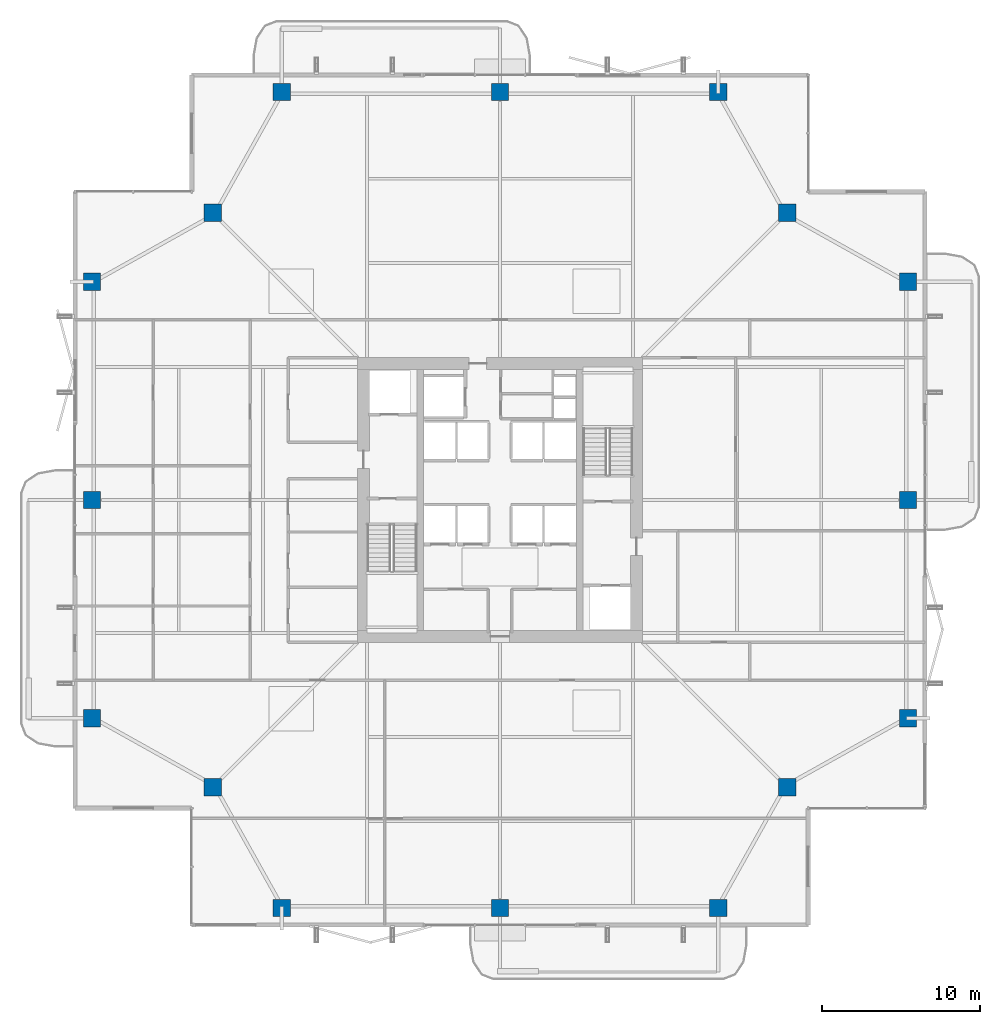
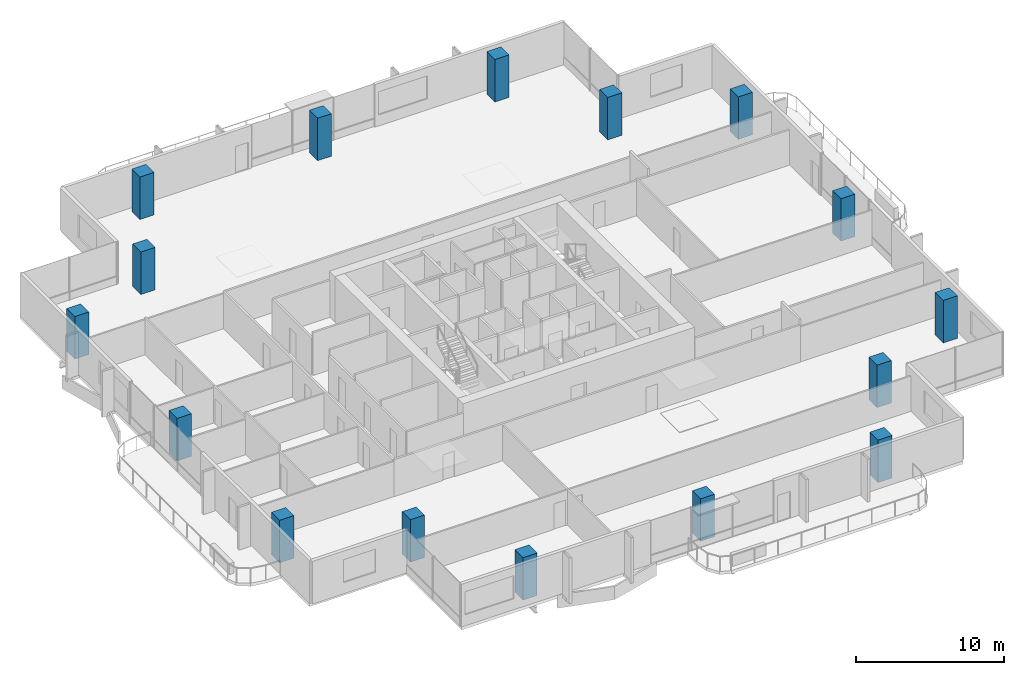
# One storey, part 1 of 29: 16 columns.
"""IFC4 building model written with IfcOpenShell, lengths in metres."""

from ifc_helpers import new_model, si_unit, direction, frame, origin, origin_2d, place, context, subcontext, project, spatial, rectangle, extrude, material, material_profile, profile_set, type_object, element, save


model = new_model("IFC4")

# Units and contexts
model_context = context("Model", 3, precision=1e-05, world=origin(), true_north=direction((0.0, 1.0)))
body_context = subcontext(model_context, "Body", "Model", "MODEL_VIEW")
ifc_project = project(units=[si_unit("LENGTHUNIT", "METRE"), si_unit("AREAUNIT", "SQUARE_METRE"), si_unit("VOLUMEUNIT", "CUBIC_METRE"), si_unit("PLANEANGLEUNIT", "RADIAN"), si_unit("MASSUNIT", "GRAM", prefix="KILO")], contexts=[model_context])

# Site, building, storey
site_placement = place(None, origin())
site = spatial("IfcSite", under=ifc_project, at=site_placement, CompositionType="ELEMENT")
building_placement = place(site_placement, origin())
building = spatial("IfcBuilding", under=site, at=building_placement, Name="Belovzor Exchange Tower", CompositionType="ELEMENT")
storey_placement = place(building_placement, frame((0.0, 0.0, 199.949951171875)))
storey = spatial("IfcBuildingStorey", under=building, at=storey_placement, Name="L49", CompositionType="ELEMENT", Elevation=199.949951171875)

# Columns
ifc_material = material(Name="Concrete C50/60", Category="concrete")
ifc_material_profile = material_profile(ifc_material, rectangle(XDim=1.10009765625, YDim=1.10009765625, at=origin_2d()))
ifc_profile_set = profile_set([ifc_material_profile], Name="Concrete C50/60")
column_type = type_object("IfcColumnType", Name="Reinforced Concrete Tower Column 1100x1100", PredefinedType="COLUMN", material=ifc_profile_set)
for number, where, z_axis, x_axis, name in (
    (1, (15.0, 3.0, 0.0029296875), (0.0, 0.0, 1.0), (1.0, 0.0, 0.0), "COL-T110 Reinforced Concrete Tower Column 1100x1100"),
    (2, (28.800048828125, 3.0, 0.0029296875), (0.0, 0.0, 1.0), (1.0, 0.0, 0.0), "COL-T110 Reinforced Concrete Tower Column 1100x1100"),
    (3, (42.60009765625, 3.0, 0.0029296875), (0.0, 0.0, 1.0), (1.0, 0.0, 0.0), "COL-T110 Reinforced Concrete Tower Column 1100x1100"),
    (4, (54.60009765625, 15.0, 0.0029296875), (0.0, 0.0, 1.0), (1.0, 0.0, 0.0), "COL-T110 Reinforced Concrete Tower Column 1100x1100"),
    (5, (54.60009765625, 28.800048828125, 0.0029296875), (0.0, 0.0, 1.0), (1.0, 0.0, 0.0), "COL-T110 Reinforced Concrete Tower Column 1100x1100"),
    (6, (54.60009765625, 42.60009765625, 0.0029296875), (0.0, 0.0, 1.0), (1.0, 0.0, 0.0), "COL-T110 Reinforced Concrete Tower Column 1100x1100"),
    (7, (42.60009765625, 54.60009765625, 0.0029296875), (0.0, 0.0, 1.0), (1.0, 0.0, 0.0), "COL-T110 Reinforced Concrete Tower Column 1100x1100"),
    (8, (28.800048828125, 54.60009765625, 0.0029296875), (0.0, 0.0, 1.0), (1.0, 0.0, 0.0), "COL-T110 Reinforced Concrete Tower Column 1100x1100"),
    (9, (15.0, 54.60009765625, 0.0029296875), (0.0, 0.0, 1.0), (1.0, 0.0, 0.0), "COL-T110 Reinforced Concrete Tower Column 1100x1100"),
    (10, (3.0, 42.60009765625, 0.0029296875), (0.0, 0.0, 1.0), (1.0, 0.0, 0.0), "COL-T110 Reinforced Concrete Tower Column 1100x1100"),
    (11, (3.0, 28.800048828125, 0.0029296875), (0.0, 0.0, 1.0), (1.0, 0.0, 0.0), "COL-T110 Reinforced Concrete Tower Column 1100x1100"),
    (12, (3.0, 15.0, 0.0029296875), (0.0, 0.0, 1.0), (1.0, 0.0, 0.0), "COL-T110 Reinforced Concrete Tower Column 1100x1100"),
    (13, (10.64990234375, 10.64990234375, 0.0029296875), (0.0, 0.0, 1.0), (1.0, 0.0, 0.0), "COL-T110 Reinforced Concrete Tower Column 1100x1100"),
    (14, (46.949951171875, 10.64990234375, 0.0029296875), (0.0, 0.0, 1.0), (1.0, 0.0, 0.0), "COL-T110 Reinforced Concrete Tower Column 1100x1100"),
    (15, (46.949951171875, 46.949951171875, 0.0029296875), (0.0, 0.0, 1.0), (1.0, 0.0, 0.0), "COL-T110 Reinforced Concrete Tower Column 1100x1100"),
    (16, (10.64990234375, 46.949951171875, 0.0029296875), (0.0, 0.0, 1.0), (1.0, 0.0, 0.0), "COL-T110 Reinforced Concrete Tower Column 1100x1100"),
):
    element("IfcColumn", number, at=place(storey_placement, frame(where, z_axis=z_axis, x_axis=x_axis)), inside=storey, type_object=column_type, Name=name, PredefinedType="COLUMN", context=body_context, shape_type="SweptSolid", body=[
        extrude(rectangle(XDim=1.10009765625, YDim=1.10009765625, at=origin_2d()), origin(), (0.0, 0.0, 1.0), 3.494140625),
    ])

save(model, "model.ifc")
